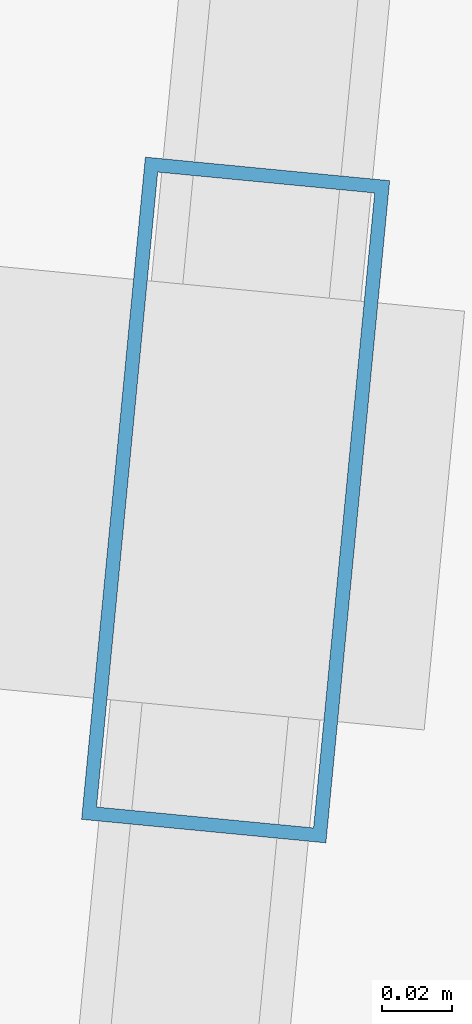
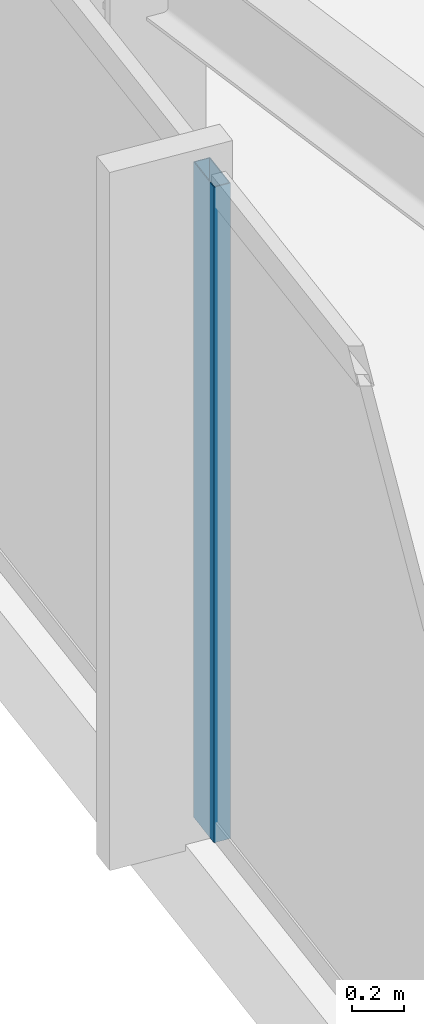
# One storey, part 4 of 37: 1 member, 1 element without a shape of its own.
"""IFC4 building model written with IfcOpenShell, lengths in metres."""

from ifc_helpers import new_model, si_unit, direction, frame, origin, origin_2d, place, context, subcontext, project, spatial, hollow_rectangle, extrude, material, material_profile, profile_set, type_object, element, aggregate, save


model = new_model("IFC4")

# Units and contexts
model_context = context("Model", 3, precision=1e-05, world=origin(), true_north=direction((0.0, 1.0)))
body_context = subcontext(model_context, "Body", "Model", "MODEL_VIEW")
ifc_project = project(units=[si_unit("LENGTHUNIT", "METRE"), si_unit("AREAUNIT", "SQUARE_METRE"), si_unit("VOLUMEUNIT", "CUBIC_METRE"), si_unit("PLANEANGLEUNIT", "RADIAN"), si_unit("MASSUNIT", "GRAM", prefix="KILO")], contexts=[model_context])

# Site, building, storey
site_placement = place(None, origin())
site = spatial("IfcSite", under=ifc_project, at=site_placement, CompositionType="ELEMENT")
building_placement = place(site_placement, origin())
building = spatial("IfcBuilding", under=site, at=building_placement, Name="Yelkora Congress Tower", CompositionType="ELEMENT")
storey_placement = place(building_placement, frame((0.0, 0.0, 149.0)))
storey = spatial("IfcBuildingStorey", under=building, at=storey_placement, Name="L40", CompositionType="ELEMENT", Elevation=149.0)

# Curtain wall, member
ifc_material_1 = material(Name="Anodised aluminium and insulated glass", Category="aluminium")
curtain_wall_type = type_object("IfcCurtainWallType", Name="CW-SYS-B3", PredefinedType="NOTDEFINED", material=ifc_material_1)
curtain_wall_placement = place(storey_placement, origin())
curtain_wall = element("IfcCurtainWall", 1, at=curtain_wall_placement, inside=storey, type_object=curtain_wall_type, Name="L40 Unitised Curtain Wall 5", PredefinedType="NOTDEFINED")
ifc_material_2 = material(Name="Anodised aluminium 6063-T6", Category="aluminium")
ifc_material_profile = material_profile(ifc_material_2, hollow_rectangle(XDim=0.070068359375, YDim=0.18994140625, WallThickness=0.00390625, at=origin_2d()), Name="ALU 70x190x4")
ifc_profile_set = profile_set([ifc_material_profile], Name="Anodised aluminium 6063-T6")
member_type = type_object("IfcMemberType", Name="MEM-ML-B3", PredefinedType="MULLION", material=ifc_profile_set)
member_placement = place(storey_placement, frame((1.9248046875, 22.962158203125, 0.0), z_axis=(0.0, 0.0, 1.0), x_axis=(-0.995396242473, 0.095845294465, 0.0)))
member = element("IfcMember", 2, at=member_placement, type_object=member_type, Name="CW-B3 mullion 2", PredefinedType="MULLION", context=body_context, shape_type="SweptSolid", body=[
    extrude(hollow_rectangle(XDim=0.070068359375, YDim=0.18994140625, WallThickness=0.00390625, at=origin_2d()), origin(), (0.0, 0.0, 1.0), 3.080078125),
])
aggregate(curtain_wall, [member])

save(model, "model.ifc")
